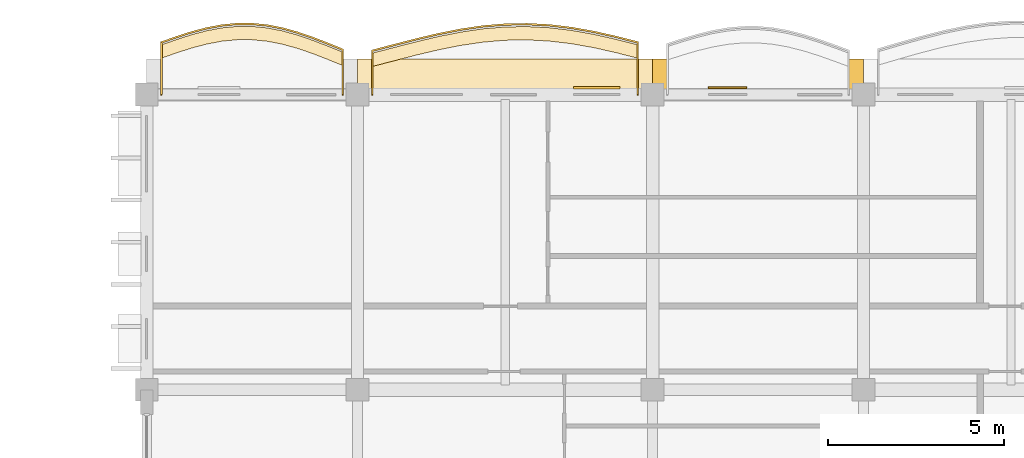
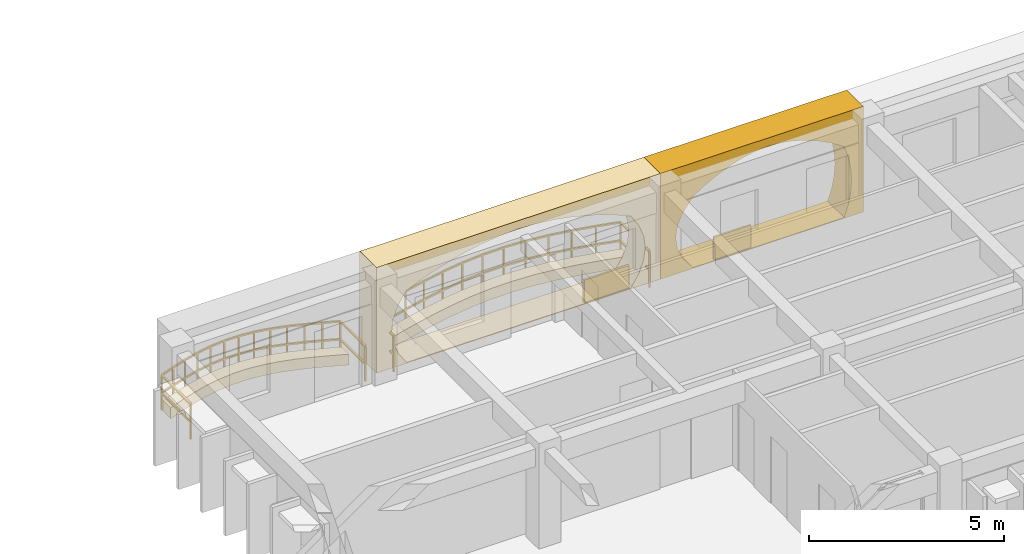
# One storey, part 64 of 79: 6 coverings, 2 railings.
"""IFC4 building model written with IfcOpenShell, lengths in metres."""

from ifc_helpers import new_model, si_unit, direction, frame, origin, origin_2d, place, context, subcontext, project, spatial, polyline, rectangle, outline, extrude, material, layer, layer_set, type_object, element, save


model = new_model("IFC4")

# Units and contexts
model_context = context("Model", 3, precision=1e-05, world=origin(), true_north=direction((0.0, 1.0)))
body_context = subcontext(model_context, "Body", "Model", "MODEL_VIEW")
ifc_project = project(units=[si_unit("LENGTHUNIT", "METRE"), si_unit("AREAUNIT", "SQUARE_METRE"), si_unit("VOLUMEUNIT", "CUBIC_METRE"), si_unit("PLANEANGLEUNIT", "RADIAN"), si_unit("MASSUNIT", "GRAM", prefix="KILO"), si_unit("THERMODYNAMICTEMPERATUREUNIT", "KELVIN")], contexts=[model_context])

# Site, building, storey
site_placement = place(None, origin())
site = spatial("IfcSite", under=ifc_project, at=site_placement, CompositionType="ELEMENT")
building_placement = place(site_placement, origin())
building = spatial("IfcBuilding", under=site, at=building_placement, Name="Thalorik Housing Commons", CompositionType="ELEMENT")
storey_placement = place(building_placement, frame((0.0, 0.0, 11.39990234375)))
storey = spatial("IfcBuildingStorey", under=building, at=storey_placement, Name="L03", CompositionType="ELEMENT", Elevation=11.39990234375)

# Coverings
ifc_material_1 = material(Name="Cobalt blue glazed ceramic facade tile panel", Category="masonry")
ifc_layer_1 = layer(ifc_material_1, 0.06005859375, Name="Cobalt blue glazed ceramic facade tile panel", Category="masonry")
ifc_layer_set_1 = layer_set([ifc_layer_1], Name="Cobalt blue glazed ceramic facade tile panel")
covering_type_1 = type_object("IfcCoveringType", Name="ARC-CLD-BLU-60", PredefinedType="CLADDING", material=ifc_layer_set_1)
covering_1_placement = place(storey_placement, frame((93.21337890625, 123.794921875, 0.05029296875), z_axis=(0.0, 0.0, 1.0), x_axis=(-1.0, 0.0, 0.0)))
element("IfcCovering", 1, at=covering_1_placement, inside=storey, type_object=covering_type_1, Name="L03 De Stijl Recessed Window Spandrel 1871", PredefinedType="CLADDING", context=body_context, shape_type="SweptSolid", body=[
    extrude(rectangle(XDim=1.320068359375, YDim=0.06005859375, at=origin_2d()), origin(), (0.0, 0.0, 1.0), 0.699951171875),
])
ifc_material_2 = material(Name="Precast concrete C40/50", Category="concrete")
ifc_layer_2 = layer(ifc_material_2, 0.85009765625, Name="Precast concrete C40/50", Category="concrete")
ifc_layer_set_2 = layer_set([ifc_layer_2], Name="Precast concrete C40/50")
covering_type_2 = type_object("IfcCoveringType", Name="ARC-CLD-CUSH-850", PredefinedType="CLADDING", material=ifc_layer_set_2)
covering_2_placement = place(storey_placement, frame((97.800048828125, 124.18505859375, 0.0), z_axis=(0.0, 0.0, 1.0), x_axis=(-1.0, 0.0, 0.0)))
element("IfcCovering", 2, at=covering_2_placement, inside=storey, type_object=covering_type_2, Name="L03 White Precast Curved Cushion Bay Frame 1868", PredefinedType="CLADDING", context=body_context, shape_type="SweptSolid", body=[
    extrude(outline(polyline([(-3.0, 0.0), (3.0, 0.0), (3.0, 3.300048828125), (-3.0, 3.300048828125), (-3.0, 0.0)]), holes=[polyline([(2.0400390625, 0.02490234375), (2.3232421875, 0.394287109375), (2.493408203125, 0.76318359375), (2.550048828125, 1.132568359375), (2.493408203125, 1.501708984375), (2.3232421875, 1.870849609375), (2.0400390625, 2.239990234375), (1.66748046875, 2.4833984375), (1.294921875, 2.6748046875), (0.922607421875, 2.82958984375), (0.550048828125, 2.94482421875), (0.177490234375, 3.01611328125), (-0.195068359375, 3.0400390625), (-0.5673828125, 3.01611328125), (-0.93994140625, 2.94482421875), (-1.3125, 2.82958984375), (-1.68505859375, 2.6748046875), (-2.0576171875, 2.4833984375), (-2.429931640625, 2.239990234375), (-2.55029296875, 1.870849609375), (-2.62255859375, 1.501708984375), (-2.646484375, 1.132568359375), (-2.62255859375, 0.76318359375), (-2.55029296875, 0.394287109375), (-2.429931640625, 0.02490234375), (2.0400390625, 0.02490234375)])]), frame((0.0, 0.425048828125, 0.0), z_axis=(0.0, -1.0, 0.0), x_axis=(1.0, 0.0, 0.0)), (0.0, 0.0, 1.0), 0.85009765625),
])
covering_3_placement = place(storey_placement, frame((90.60009765625, 124.18505859375, 0.0), z_axis=(0.0, 0.0, 1.0), x_axis=(-1.0, 0.0, 0.0)))
element("IfcCovering", 3, at=covering_3_placement, inside=storey, type_object=covering_type_2, Name="L03 White Precast Curved Cushion Bay Frame 1870", PredefinedType="CLADDING", context=body_context, shape_type="SweptSolid", body=[
    extrude(outline(polyline([(-4.199951171875, 0.0), (4.199951171875, 0.0), (4.199951171875, 3.300048828125), (-4.199951171875, 3.300048828125), (-4.199951171875, 0.0)]), holes=[polyline([(3.306640625, 0.02490234375), (3.552978515625, 0.40087890625), (3.70068359375, 0.776611328125), (3.75, 1.152587890625), (3.70068359375, 1.5283203125), (3.552978515625, 1.904296875), (3.306640625, 2.280029296875), (2.754150390625, 2.51123046875), (2.20166015625, 2.693115234375), (1.649169921875, 2.840087890625), (1.0966796875, 2.94970703125), (0.544189453125, 3.01708984375), (-0.00830078125, 3.0400390625), (-0.560791015625, 3.01708984375), (-1.11328125, 2.94970703125), (-1.666015625, 2.840087890625), (-2.218505859375, 2.693115234375), (-2.77099609375, 2.51123046875), (-3.323486328125, 2.280029296875), (-3.560302734375, 1.904296875), (-3.70263671875, 1.5283203125), (-3.75, 1.152587890625), (-3.70263671875, 0.776611328125), (-3.560302734375, 0.40087890625), (-3.323486328125, 0.02490234375), (3.306640625, 0.02490234375)])]), frame((0.0, 0.425048828125, 0.0), z_axis=(0.0, -1.0, 0.0), x_axis=(1.0, 0.0, 0.0)), (0.0, 0.0, 1.0), 0.85009765625),
])
ifc_material_3 = material(Name="Terracotta red mineral fibre-cement panel", Category="masonry")
ifc_layer_3 = layer(ifc_material_3, 0.054931640625, Name="Terracotta red mineral fibre-cement panel", Category="masonry")
ifc_layer_set_3 = layer_set([ifc_layer_3], Name="Terracotta red mineral fibre-cement panel")
covering_type_3 = type_object("IfcCoveringType", Name="ARC-CLD-RED-55", PredefinedType="CLADDING", material=ifc_layer_set_3)
covering_4_placement = place(storey_placement, frame((96.93505859375, 123.79248046875, 0.05029296875), z_axis=(0.0, 0.0, 1.0), x_axis=(-1.0, 0.0, 0.0)))
element("IfcCovering", 4, at=covering_4_placement, inside=storey, type_object=covering_type_3, Name="L03 De Stijl Recessed Window Spandrel 1869", PredefinedType="CLADDING", context=body_context, shape_type="SweptSolid", body=[
    extrude(rectangle(XDim=1.10009765625, YDim=0.054931640625, at=origin_2d()), origin(), (0.0, 0.0, 1.0), 0.699951171875),
])
ifc_material_4 = material(Name="Planted vegetated substrate and terracotta trough", Category="masonry")
ifc_layer_4 = layer(ifc_material_4, 0.340087890625, Name="Planted vegetated substrate and terracotta trough", Category="masonry")
ifc_layer_set_4 = layer_set([ifc_layer_4], Name="Planted vegetated substrate and terracotta trough")
covering_type_4 = type_object("IfcCoveringType", Name="ARC-COV-PLANTER", PredefinedType="USERDEFINED", material=ifc_layer_set_4)
covering_5_placement = place(storey_placement, origin())
element("IfcCovering", 5, at=covering_5_placement, inside=storey, type_object=covering_type_4, Name="L03 Balcony Slab-Edge Planted Trough 5434", ObjectType="PLANTER", PredefinedType="USERDEFINED", context=body_context, shape_type="SweptSolid", body=[
    extrude(outline(polyline([(85.97998046875, 124.80859375), (85.550048828125, 124.98291015625), (85.1201171875, 125.149169921875), (84.68994140625, 125.29638671875), (84.260009765625, 125.41552734375), (83.830078125, 125.4990234375), (83.39990234375, 125.541748046875), (82.969970703125, 125.541748046875), (82.5400390625, 125.499755859375), (82.110107421875, 125.419189453125), (81.679931640625, 125.305908203125), (81.25, 125.168212890625), (80.820068359375, 125.01611328125), (80.820068359375, 124.635986328125), (81.25, 124.788330078125), (81.679931640625, 124.92578125), (82.110107421875, 125.0390625), (82.5400390625, 125.119873046875), (82.969970703125, 125.161865234375), (83.39990234375, 125.161865234375), (83.830078125, 125.118896484375), (84.260009765625, 125.035400390625), (84.68994140625, 124.91650390625), (85.1201171875, 124.76904296875), (85.550048828125, 124.602783203125), (85.97998046875, 124.428466796875), (85.97998046875, 124.80859375)])), origin(), (0.0, 0.0, 1.0), 0.340087890625),
])
covering_6_placement = place(storey_placement, origin())
element("IfcCovering", 6, at=covering_6_placement, inside=storey, type_object=covering_type_4, Name="L03 Balcony Slab-Edge Planted Trough 5435", ObjectType="PLANTER", PredefinedType="USERDEFINED", context=body_context, shape_type="SweptSolid", body=[
    extrude(outline(polyline([(94.3798828125, 125.015380859375), (93.75, 125.176025390625), (93.1201171875, 125.317138671875), (92.489990234375, 125.428955078125), (91.860107421875, 125.50390625), (91.22998046875, 125.537109375), (90.60009765625, 125.526611328125), (89.969970703125, 125.47314453125), (89.340087890625, 125.380615234375), (88.7099609375, 125.255615234375), (88.080078125, 125.10693359375), (87.449951171875, 124.944580078125), (86.820068359375, 124.7802734375), (86.820068359375, 124.400146484375), (87.449951171875, 124.564697265625), (88.080078125, 124.726806640625), (88.7099609375, 124.875732421875), (89.340087890625, 125.00048828125), (89.969970703125, 125.093017578125), (90.60009765625, 125.146484375), (91.22998046875, 125.156982421875), (91.860107421875, 125.123779296875), (92.489990234375, 125.048828125), (93.1201171875, 124.937255859375), (93.75, 124.796142578125), (94.3798828125, 124.635498046875), (94.3798828125, 125.015380859375)])), origin(), (0.0, 0.0, 1.0), 0.340087890625),
])

# Railings
ifc_material_5 = material(Name="Steel S355", Category="steel")
railing_type_1 = type_object("IfcRailingType", Name="ARC-RL-BAL-112", PredefinedType="BALUSTRADE", material=ifc_material_5)
railing_1_placement = place(storey_placement, frame((85.97998046875, 123.60009765625, 0.0)))
element("IfcRailing", 7, at=railing_1_placement, inside=storey, type_object=railing_type_1, Name="L03 Cushion Balcony Guardrail 118", PredefinedType="BALUSTRADE", context=body_context, shape_type="SweptSolid", body=[
    extrude(rectangle(XDim=0.050048828125, YDim=0.050048828125, at=origin_2d()), frame((0.0, 0.0, 1.09521484375), z_axis=(0.0, 1.0, 0.0), x_axis=(-1.0, 0.0, 0.0)), (0.0, 0.0, 1.0), 1.2783203125),
    extrude(rectangle(XDim=0.050048828125, YDim=0.050048828125, at=origin_2d()), frame((0.0, 0.0, 0.53515625), z_axis=(0.0, 1.0, 0.0), x_axis=(-1.0, 0.0, 0.0)), (0.0, 0.0, 1.0), 1.2783203125),
    extrude(rectangle(XDim=0.050048828125, YDim=0.050048828125, at=origin_2d()), frame((0.0, 1.2783203125, 1.09521484375), z_axis=(-0.926541092469, 0.376193572468, 0.0), x_axis=(-0.376193572468, -0.926541092469, 0.0)), (0.0, 0.0, 1.0), 0.464111328125),
    extrude(rectangle(XDim=0.050048828125, YDim=0.050048828125, at=origin_2d()), frame((0.0, 1.2783203125, 0.53515625), z_axis=(-0.926541092469, 0.376193572468, 0.0), x_axis=(-0.376193572468, -0.926541092469, 0.0)), (0.0, 0.0, 1.0), 0.464111328125),
    extrude(rectangle(XDim=0.050048828125, YDim=0.050048828125, at=origin_2d()), frame((-0.429931640625, 1.452880859375, 1.09521484375), z_axis=(-0.9328669237, 0.360221185756, 0.0), x_axis=(-0.360221185756, -0.9328669237, 0.0)), (0.0, 0.0, 1.0), 0.4609375),
    extrude(rectangle(XDim=0.050048828125, YDim=0.050048828125, at=origin_2d()), frame((-0.429931640625, 1.452880859375, 0.53515625), z_axis=(-0.9328669237, 0.360221185756, 0.0), x_axis=(-0.360221185756, -0.9328669237, 0.0)), (0.0, 0.0, 1.0), 0.4609375),
    extrude(rectangle(XDim=0.050048828125, YDim=0.050048828125, at=origin_2d()), frame((-0.85986328125, 1.618896484375, 1.09521484375), z_axis=(-0.945964768133, 0.324269421085, 0.0), x_axis=(-0.324269421085, -0.945964768133, 0.0)), (0.0, 0.0, 1.0), 0.454833984375),
    extrude(rectangle(XDim=0.050048828125, YDim=0.050048828125, at=origin_2d()), frame((-0.85986328125, 1.618896484375, 0.53515625), z_axis=(-0.945964768133, 0.324269421085, 0.0), x_axis=(-0.324269421085, -0.945964768133, 0.0)), (0.0, 0.0, 1.0), 0.454833984375),
    extrude(rectangle(XDim=0.050048828125, YDim=0.050048828125, at=origin_2d()), frame((-1.2900390625, 1.766357421875, 1.09521484375), z_axis=(-0.963682368492, 0.267051104954, 0.0), x_axis=(-0.267051104954, -0.963682368492, 0.0)), (0.0, 0.0, 1.0), 0.446044921875),
    extrude(rectangle(XDim=0.050048828125, YDim=0.050048828125, at=origin_2d()), frame((-1.2900390625, 1.766357421875, 0.53515625), z_axis=(-0.963682368492, 0.267051104954, 0.0), x_axis=(-0.267051104954, -0.963682368492, 0.0)), (0.0, 0.0, 1.0), 0.446044921875),
    extrude(rectangle(XDim=0.050048828125, YDim=0.050048828125, at=origin_2d()), frame((-1.719970703125, 1.885498046875, 1.09521484375), z_axis=(-0.981658882088, 0.190645847629, 0.0), x_axis=(-0.190645847629, -0.981658882088, 0.0)), (0.0, 0.0, 1.0), 0.43798828125),
    extrude(rectangle(XDim=0.050048828125, YDim=0.050048828125, at=origin_2d()), frame((-1.719970703125, 1.885498046875, 0.53515625), z_axis=(-0.981658882088, 0.190645847629, 0.0), x_axis=(-0.190645847629, -0.981658882088, 0.0)), (0.0, 0.0, 1.0), 0.43798828125),
    extrude(rectangle(XDim=0.050048828125, YDim=0.050048828125, at=origin_2d()), frame((-2.14990234375, 1.968994140625, 1.09521484375), z_axis=(-0.995104063959, 0.098832696477, 0.0), x_axis=(-0.098832696477, -0.995104063959, 0.0)), (0.0, 0.0, 1.0), 0.432373046875),
    extrude(rectangle(XDim=0.050048828125, YDim=0.050048828125, at=origin_2d()), frame((-2.14990234375, 1.968994140625, 0.53515625), z_axis=(-0.995104063959, 0.098832696477, 0.0), x_axis=(-0.098832696477, -0.995104063959, 0.0)), (0.0, 0.0, 1.0), 0.432373046875),
    extrude(rectangle(XDim=0.050048828125, YDim=0.050048828125, at=origin_2d()), frame((-2.580078125, 2.01171875, 1.09521484375), z_axis=(-1.0, 0.0, 0.0), x_axis=(0.0, -1.0, 0.0)), (0.0, 0.0, 1.0), 0.429931640625),
    extrude(rectangle(XDim=0.050048828125, YDim=0.050048828125, at=origin_2d()), frame((-2.580078125, 2.01171875, 0.53515625), z_axis=(-1.0, 0.0, 0.0), x_axis=(0.0, -1.0, 0.0)), (0.0, 0.0, 1.0), 0.429931640625),
    extrude(rectangle(XDim=0.050048828125, YDim=0.050048828125, at=origin_2d()), frame((-3.010009765625, 2.01171875, 1.09521484375), z_axis=(-0.995263970634, -0.097209200993, 0.0), x_axis=(0.097209200993, -0.995263970634, 0.0)), (0.0, 0.0, 1.0), 0.431884765625),
    extrude(rectangle(XDim=0.050048828125, YDim=0.050048828125, at=origin_2d()), frame((-3.010009765625, 2.01171875, 0.53515625), z_axis=(-0.995263970634, -0.097209200993, 0.0), x_axis=(0.097209200993, -0.995263970634, 0.0)), (0.0, 0.0, 1.0), 0.431884765625),
    extrude(rectangle(XDim=0.050048828125, YDim=0.050048828125, at=origin_2d()), frame((-3.43994140625, 1.9697265625, 1.09521484375), z_axis=(-0.982789955867, -0.184726561835, 0.0), x_axis=(0.184726561835, -0.982789955867, 0.0)), (0.0, 0.0, 1.0), 0.4375),
    extrude(rectangle(XDim=0.050048828125, YDim=0.050048828125, at=origin_2d()), frame((-3.43994140625, 1.9697265625, 0.53515625), z_axis=(-0.982789955867, -0.184726561835, 0.0), x_axis=(0.184726561835, -0.982789955867, 0.0)), (0.0, 0.0, 1.0), 0.4375),
    extrude(rectangle(XDim=0.050048828125, YDim=0.050048828125, at=origin_2d()), frame((-3.869873046875, 1.888916015625, 1.09521484375), z_axis=(-0.967166905312, -0.254142041521, 0.0), x_axis=(0.254142041521, -0.967166905312, 0.0)), (0.0, 0.0, 1.0), 0.44482421875),
    extrude(rectangle(XDim=0.050048828125, YDim=0.050048828125, at=origin_2d()), frame((-3.869873046875, 1.888916015625, 0.53515625), z_axis=(-0.967166905312, -0.254142041521, 0.0), x_axis=(0.254142041521, -0.967166905312, 0.0)), (0.0, 0.0, 1.0), 0.44482421875),
    extrude(rectangle(XDim=0.050048828125, YDim=0.050048828125, at=origin_2d()), frame((-4.300048828125, 1.77587890625, 1.09521484375), z_axis=(-0.95234876715, -0.305011189479, 0.0), x_axis=(0.305011189479, -0.95234876715, 0.0)), (0.0, 0.0, 1.0), 0.451416015625),
    extrude(rectangle(XDim=0.050048828125, YDim=0.050048828125, at=origin_2d()), frame((-4.300048828125, 1.77587890625, 0.53515625), z_axis=(-0.95234876715, -0.305011189479, 0.0), x_axis=(0.305011189479, -0.95234876715, 0.0)), (0.0, 0.0, 1.0), 0.451416015625),
    extrude(rectangle(XDim=0.050048828125, YDim=0.050048828125, at=origin_2d()), frame((-4.72998046875, 1.63818359375, 1.09521484375), z_axis=(-0.942574576093, -0.333995761205, 0.0), x_axis=(0.333995761205, -0.942574576093, 0.0)), (0.0, 0.0, 1.0), 0.4560546875),
    extrude(rectangle(XDim=0.050048828125, YDim=0.050048828125, at=origin_2d()), frame((-4.72998046875, 1.63818359375, 0.53515625), z_axis=(-0.942574576093, -0.333995761205, 0.0), x_axis=(0.333995761205, -0.942574576093, 0.0)), (0.0, 0.0, 1.0), 0.4560546875),
    extrude(rectangle(XDim=0.050048828125, YDim=0.050048828125, at=origin_2d()), frame((-5.159912109375, 1.48583984375, 1.09521484375), z_axis=(0.0, -1.0, 0.0), x_axis=(1.0, 0.0, 0.0)), (0.0, 0.0, 1.0), 1.48583984375),
    extrude(rectangle(XDim=0.050048828125, YDim=0.050048828125, at=origin_2d()), frame((-5.159912109375, 1.48583984375, 0.53515625), z_axis=(0.0, -1.0, 0.0), x_axis=(1.0, 0.0, 0.0)), (0.0, 0.0, 1.0), 1.48583984375),
    extrude(rectangle(XDim=0.0419921875, YDim=0.0419921875, at=origin_2d()), origin(), (0.0, 0.0, 1.0), 1.070068359375),
    extrude(rectangle(XDim=0.0419921875, YDim=0.0419921875, at=origin_2d()), frame((0.0, 1.2783203125, 0.0)), (0.0, 0.0, 1.0), 1.070068359375),
    extrude(rectangle(XDim=0.0419921875, YDim=0.0419921875, at=origin_2d()), frame((-0.429931640625, 1.452880859375, 0.0)), (0.0, 0.0, 1.0), 1.070068359375),
    extrude(rectangle(XDim=0.0419921875, YDim=0.0419921875, at=origin_2d()), frame((-0.85986328125, 1.618896484375, 0.0)), (0.0, 0.0, 1.0), 1.070068359375),
    extrude(rectangle(XDim=0.0419921875, YDim=0.0419921875, at=origin_2d()), frame((-1.2900390625, 1.766357421875, 0.0)), (0.0, 0.0, 1.0), 1.070068359375),
    extrude(rectangle(XDim=0.0419921875, YDim=0.0419921875, at=origin_2d()), frame((-1.719970703125, 1.885498046875, 0.0)), (0.0, 0.0, 1.0), 1.070068359375),
    extrude(rectangle(XDim=0.0419921875, YDim=0.0419921875, at=origin_2d()), frame((-2.14990234375, 1.968994140625, 0.0)), (0.0, 0.0, 1.0), 1.070068359375),
    extrude(rectangle(XDim=0.0419921875, YDim=0.0419921875, at=origin_2d()), frame((-2.580078125, 2.01171875, 0.0)), (0.0, 0.0, 1.0), 1.070068359375),
    extrude(rectangle(XDim=0.0419921875, YDim=0.0419921875, at=origin_2d()), frame((-3.010009765625, 2.01171875, 0.0)), (0.0, 0.0, 1.0), 1.070068359375),
    extrude(rectangle(XDim=0.0419921875, YDim=0.0419921875, at=origin_2d()), frame((-3.43994140625, 1.9697265625, 0.0)), (0.0, 0.0, 1.0), 1.070068359375),
    extrude(rectangle(XDim=0.0419921875, YDim=0.0419921875, at=origin_2d()), frame((-3.869873046875, 1.888916015625, 0.0)), (0.0, 0.0, 1.0), 1.070068359375),
    extrude(rectangle(XDim=0.0419921875, YDim=0.0419921875, at=origin_2d()), frame((-4.300048828125, 1.77587890625, 0.0)), (0.0, 0.0, 1.0), 1.070068359375),
    extrude(rectangle(XDim=0.0419921875, YDim=0.0419921875, at=origin_2d()), frame((-4.72998046875, 1.63818359375, 0.0)), (0.0, 0.0, 1.0), 1.070068359375),
    extrude(rectangle(XDim=0.0419921875, YDim=0.0419921875, at=origin_2d()), frame((-5.159912109375, 1.48583984375, 0.0)), (0.0, 0.0, 1.0), 1.070068359375),
    extrude(rectangle(XDim=0.0419921875, YDim=0.0419921875, at=origin_2d()), frame((-5.159912109375, 0.0, 0.0)), (0.0, 0.0, 1.0), 1.070068359375),
])
railing_type_2 = type_object("IfcRailingType", Name="ARC-RL-BAL-115", PredefinedType="BALUSTRADE", material=ifc_material_5)
railing_2_placement = place(storey_placement, frame((94.3798828125, 123.60009765625, 0.0)))
element("IfcRailing", 8, at=railing_2_placement, inside=storey, type_object=railing_type_2, Name="L03 Cushion Balcony Guardrail 119", PredefinedType="BALUSTRADE", context=body_context, shape_type="SweptSolid", body=[
    extrude(rectangle(XDim=0.050048828125, YDim=0.050048828125, at=origin_2d()), frame((0.0, 0.0, 1.125), z_axis=(0.0, 1.0, 0.0), x_axis=(-1.0, 0.0, 0.0)), (0.0, 0.0, 1.0), 1.4853515625),
    extrude(rectangle(XDim=0.050048828125, YDim=0.050048828125, at=origin_2d()), frame((0.0, 0.0, 0.5498046875), z_axis=(0.0, 1.0, 0.0), x_axis=(-1.0, 0.0, 0.0)), (0.0, 0.0, 1.0), 1.4853515625),
    extrude(rectangle(XDim=0.050048828125, YDim=0.050048828125, at=origin_2d()), frame((0.0, 1.4853515625, 1.125), z_axis=(-0.968982800082, 0.247128171494, 0.0), x_axis=(-0.247128171494, -0.968982800082, 0.0)), (0.0, 0.0, 1.0), 0.650146484375),
    extrude(rectangle(XDim=0.050048828125, YDim=0.050048828125, at=origin_2d()), frame((0.0, 1.4853515625, 0.5498046875), z_axis=(-0.968982800082, 0.247128171494, 0.0), x_axis=(-0.247128171494, -0.968982800082, 0.0)), (0.0, 0.0, 1.0), 0.650146484375),
    extrude(rectangle(XDim=0.050048828125, YDim=0.050048828125, at=origin_2d()), frame((-0.6298828125, 1.64599609375, 1.125), z_axis=(-0.975811839183, 0.218612109708, 0.0), x_axis=(-0.218612109708, -0.975811839183, 0.0)), (0.0, 0.0, 1.0), 0.6455078125),
    extrude(rectangle(XDim=0.050048828125, YDim=0.050048828125, at=origin_2d()), frame((-0.6298828125, 1.64599609375, 0.5498046875), z_axis=(-0.975811839183, 0.218612109708, 0.0), x_axis=(-0.218612109708, -0.975811839183, 0.0)), (0.0, 0.0, 1.0), 0.6455078125),
    extrude(rectangle(XDim=0.050048828125, YDim=0.050048828125, at=origin_2d()), frame((-1.259765625, 1.787109375, 1.125), z_axis=(-0.984683537287, 0.174351172623, 0.0), x_axis=(-0.174351172623, -0.984683537287, 0.0)), (0.0, 0.0, 1.0), 0.639892578125),
    extrude(rectangle(XDim=0.050048828125, YDim=0.050048828125, at=origin_2d()), frame((-1.259765625, 1.787109375, 0.5498046875), z_axis=(-0.984683537287, 0.174351172623, 0.0), x_axis=(-0.174351172623, -0.984683537287, 0.0)), (0.0, 0.0, 1.0), 0.639892578125),
    extrude(rectangle(XDim=0.050048828125, YDim=0.050048828125, at=origin_2d()), frame((-1.889892578125, 1.898681640625, 1.125), z_axis=(-0.992949497864, 0.118538157109, 0.0), x_axis=(-0.118538157109, -0.992949497864, 0.0)), (0.0, 0.0, 1.0), 0.63427734375),
    extrude(rectangle(XDim=0.050048828125, YDim=0.050048828125, at=origin_2d()), frame((-1.889892578125, 1.898681640625, 0.5498046875), z_axis=(-0.992949497864, 0.118538157109, 0.0), x_axis=(-0.118538157109, -0.992949497864, 0.0)), (0.0, 0.0, 1.0), 0.63427734375),
    extrude(rectangle(XDim=0.050048828125, YDim=0.050048828125, at=origin_2d()), frame((-2.519775390625, 1.973876953125, 1.125), z_axis=(-0.998614621038, 0.052619755312, 0.0), x_axis=(-0.052619755312, -0.998614621038, 0.0)), (0.0, 0.0, 1.0), 0.631103515625),
    extrude(rectangle(XDim=0.050048828125, YDim=0.050048828125, at=origin_2d()), frame((-2.519775390625, 1.973876953125, 0.5498046875), z_axis=(-0.998614621038, 0.052619755312, 0.0), x_axis=(-0.052619755312, -0.998614621038, 0.0)), (0.0, 0.0, 1.0), 0.631103515625),
    extrude(rectangle(XDim=0.050048828125, YDim=0.050048828125, at=origin_2d()), frame((-3.14990234375, 2.007080078125, 1.125), z_axis=(-0.999854607762, -0.017051784008, 0.0), x_axis=(0.017051784008, -0.999854607762, 0.0)), (0.0, 0.0, 1.0), 0.6298828125),
    extrude(rectangle(XDim=0.050048828125, YDim=0.050048828125, at=origin_2d()), frame((-3.14990234375, 2.007080078125, 0.5498046875), z_axis=(-0.999854607762, -0.017051784008, 0.0), x_axis=(0.017051784008, -0.999854607762, 0.0)), (0.0, 0.0, 1.0), 0.6298828125),
    extrude(rectangle(XDim=0.050048828125, YDim=0.050048828125, at=origin_2d()), frame((-3.77978515625, 1.996337890625, 1.125), z_axis=(-0.996451941002, -0.084163705207, 0.0), x_axis=(0.084163705207, -0.996451941002, 0.0)), (0.0, 0.0, 1.0), 0.63232421875),
    extrude(rectangle(XDim=0.050048828125, YDim=0.050048828125, at=origin_2d()), frame((-3.77978515625, 1.996337890625, 0.5498046875), z_axis=(-0.996451941002, -0.084163705207, 0.0), x_axis=(0.084163705207, -0.996451941002, 0.0)), (0.0, 0.0, 1.0), 0.63232421875),
    extrude(rectangle(XDim=0.050048828125, YDim=0.050048828125, at=origin_2d()), frame((-4.409912109375, 1.943115234375, 1.125), z_axis=(-0.989381852922, -0.145339427232, 0.0), x_axis=(0.145339427232, -0.989381852922, 0.0)), (0.0, 0.0, 1.0), 0.63671875),
    extrude(rectangle(XDim=0.050048828125, YDim=0.050048828125, at=origin_2d()), frame((-4.409912109375, 1.943115234375, 0.5498046875), z_axis=(-0.989381852922, -0.145339427232, 0.0), x_axis=(0.145339427232, -0.989381852922, 0.0)), (0.0, 0.0, 1.0), 0.63671875),
    extrude(rectangle(XDim=0.050048828125, YDim=0.050048828125, at=origin_2d()), frame((-5.039794921875, 1.8505859375, 1.125), z_axis=(-0.980886430971, -0.194581113002, 0.0), x_axis=(0.194581113002, -0.980886430971, 0.0)), (0.0, 0.0, 1.0), 0.642333984375),
    extrude(rectangle(XDim=0.050048828125, YDim=0.050048828125, at=origin_2d()), frame((-5.039794921875, 1.8505859375, 0.5498046875), z_axis=(-0.980886430971, -0.194581113002, 0.0), x_axis=(0.194581113002, -0.980886430971, 0.0)), (0.0, 0.0, 1.0), 0.642333984375),
    extrude(rectangle(XDim=0.050048828125, YDim=0.050048828125, at=origin_2d()), frame((-5.669921875, 1.7255859375, 1.125), z_axis=(-0.973253660801, -0.229733131561, 0.0), x_axis=(0.229733131561, -0.973253660801, 0.0)), (0.0, 0.0, 1.0), 0.647216796875),
    extrude(rectangle(XDim=0.050048828125, YDim=0.050048828125, at=origin_2d()), frame((-5.669921875, 1.7255859375, 0.5498046875), z_axis=(-0.973253660801, -0.229733131561, 0.0), x_axis=(0.229733131561, -0.973253660801, 0.0)), (0.0, 0.0, 1.0), 0.647216796875),
    extrude(rectangle(XDim=0.050048828125, YDim=0.050048828125, at=origin_2d()), frame((-6.2998046875, 1.576904296875, 1.125), z_axis=(-0.968373886452, -0.249503539128, 0.0), x_axis=(0.249503539128, -0.968373886452, 0.0)), (0.0, 0.0, 1.0), 0.650634765625),
    extrude(rectangle(XDim=0.050048828125, YDim=0.050048828125, at=origin_2d()), frame((-6.2998046875, 1.576904296875, 0.5498046875), z_axis=(-0.968373886452, -0.249503539128, 0.0), x_axis=(0.249503539128, -0.968373886452, 0.0)), (0.0, 0.0, 1.0), 0.650634765625),
    extrude(rectangle(XDim=0.050048828125, YDim=0.050048828125, at=origin_2d()), frame((-6.929931640625, 1.41455078125, 1.125), z_axis=(-0.967529600812, -0.252757732925, 0.0), x_axis=(0.252757732925, -0.967529600812, 0.0)), (0.0, 0.0, 1.0), 0.651123046875),
    extrude(rectangle(XDim=0.050048828125, YDim=0.050048828125, at=origin_2d()), frame((-6.929931640625, 1.41455078125, 0.5498046875), z_axis=(-0.967529600812, -0.252757732925, 0.0), x_axis=(0.252757732925, -0.967529600812, 0.0)), (0.0, 0.0, 1.0), 0.651123046875),
    extrude(rectangle(XDim=0.050048828125, YDim=0.050048828125, at=origin_2d()), frame((-7.559814453125, 1.25, 1.125), z_axis=(0.0, -1.0, 0.0), x_axis=(1.0, 0.0, 0.0)), (0.0, 0.0, 1.0), 1.25),
    extrude(rectangle(XDim=0.050048828125, YDim=0.050048828125, at=origin_2d()), frame((-7.559814453125, 1.25, 0.5498046875), z_axis=(0.0, -1.0, 0.0), x_axis=(1.0, 0.0, 0.0)), (0.0, 0.0, 1.0), 1.25),
    extrude(rectangle(XDim=0.0419921875, YDim=0.0419921875, at=origin_2d()), origin(), (0.0, 0.0, 1.0), 1.099853515625),
    extrude(rectangle(XDim=0.0419921875, YDim=0.0419921875, at=origin_2d()), frame((0.0, 1.4853515625, 0.0)), (0.0, 0.0, 1.0), 1.099853515625),
    extrude(rectangle(XDim=0.0419921875, YDim=0.0419921875, at=origin_2d()), frame((-0.6298828125, 1.64599609375, 0.0)), (0.0, 0.0, 1.0), 1.099853515625),
    extrude(rectangle(XDim=0.0419921875, YDim=0.0419921875, at=origin_2d()), frame((-1.259765625, 1.787109375, 0.0)), (0.0, 0.0, 1.0), 1.099853515625),
    extrude(rectangle(XDim=0.0419921875, YDim=0.0419921875, at=origin_2d()), frame((-1.889892578125, 1.898681640625, 0.0)), (0.0, 0.0, 1.0), 1.099853515625),
    extrude(rectangle(XDim=0.0419921875, YDim=0.0419921875, at=origin_2d()), frame((-2.519775390625, 1.973876953125, 0.0)), (0.0, 0.0, 1.0), 1.099853515625),
    extrude(rectangle(XDim=0.0419921875, YDim=0.0419921875, at=origin_2d()), frame((-3.14990234375, 2.007080078125, 0.0)), (0.0, 0.0, 1.0), 1.099853515625),
    extrude(rectangle(XDim=0.0419921875, YDim=0.0419921875, at=origin_2d()), frame((-3.77978515625, 1.996337890625, 0.0)), (0.0, 0.0, 1.0), 1.099853515625),
    extrude(rectangle(XDim=0.0419921875, YDim=0.0419921875, at=origin_2d()), frame((-4.409912109375, 1.943115234375, 0.0)), (0.0, 0.0, 1.0), 1.099853515625),
    extrude(rectangle(XDim=0.0419921875, YDim=0.0419921875, at=origin_2d()), frame((-5.039794921875, 1.8505859375, 0.0)), (0.0, 0.0, 1.0), 1.099853515625),
    extrude(rectangle(XDim=0.0419921875, YDim=0.0419921875, at=origin_2d()), frame((-5.669921875, 1.7255859375, 0.0)), (0.0, 0.0, 1.0), 1.099853515625),
    extrude(rectangle(XDim=0.0419921875, YDim=0.0419921875, at=origin_2d()), frame((-6.2998046875, 1.576904296875, 0.0)), (0.0, 0.0, 1.0), 1.099853515625),
    extrude(rectangle(XDim=0.0419921875, YDim=0.0419921875, at=origin_2d()), frame((-6.929931640625, 1.41455078125, 0.0)), (0.0, 0.0, 1.0), 1.099853515625),
    extrude(rectangle(XDim=0.0419921875, YDim=0.0419921875, at=origin_2d()), frame((-7.559814453125, 1.25, 0.0)), (0.0, 0.0, 1.0), 1.099853515625),
    extrude(rectangle(XDim=0.0419921875, YDim=0.0419921875, at=origin_2d()), frame((-7.559814453125, 0.0, 0.0)), (0.0, 0.0, 1.0), 1.099853515625),
])

save(model, "model.ifc")
